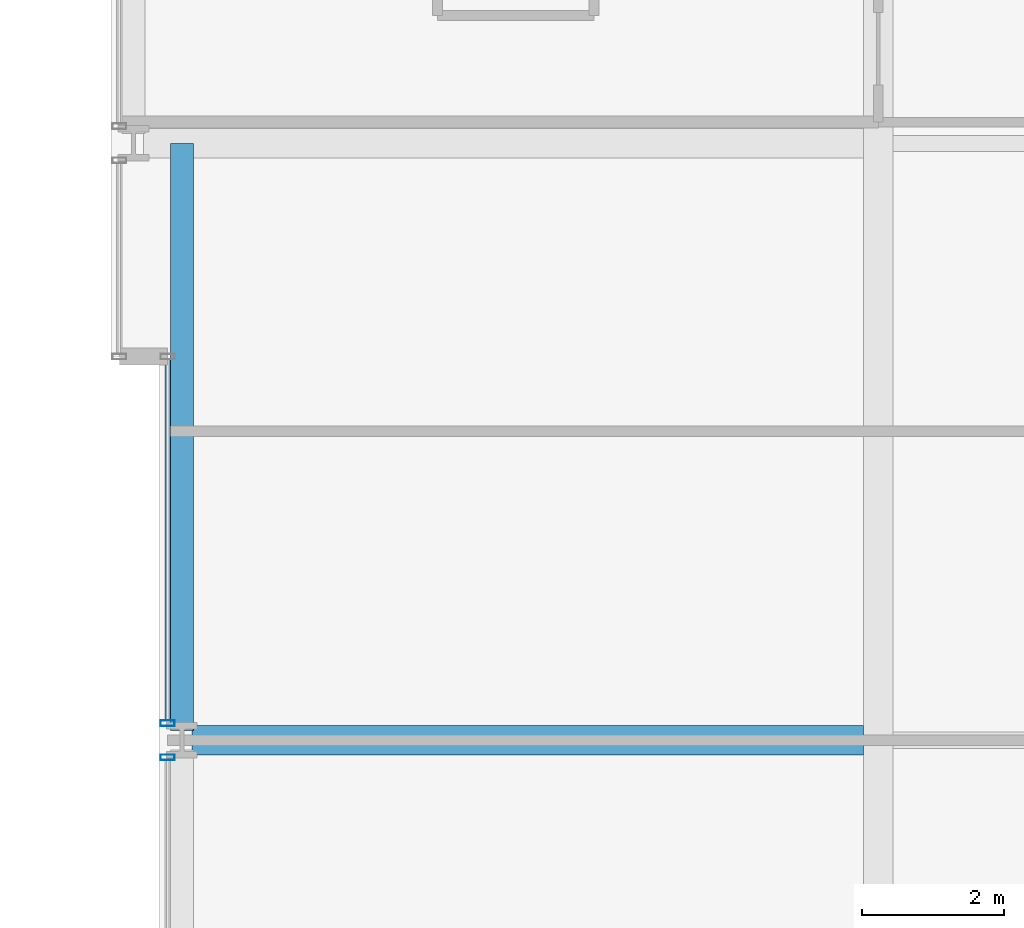
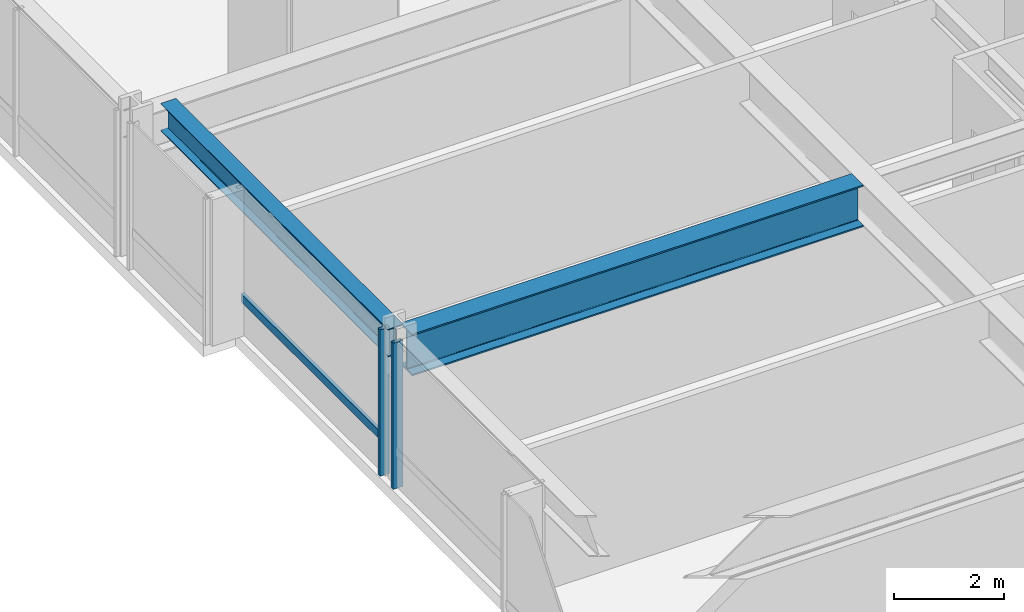
# One storey, part 9 of 42: 3 members, 2 beams, 2 elements without a shape of their own.
"""IFC4 building model written with IfcOpenShell, lengths in metres."""

from ifc_helpers import new_model, si_unit, direction, frame, origin, origin_2d, place, context, subcontext, project, spatial, hollow_rectangle, i_section, extrude, material, layer, layer_set, material_profile, profile_set, type_object, element, aggregate, save


model = new_model("IFC4")

# Units and contexts
model_context = context("Model", 3, precision=1e-05, world=origin(), true_north=direction((0.0, 1.0)))
body_context = subcontext(model_context, "Body", "Model", "MODEL_VIEW")
ifc_project = project(units=[si_unit("LENGTHUNIT", "METRE"), si_unit("AREAUNIT", "SQUARE_METRE"), si_unit("VOLUMEUNIT", "CUBIC_METRE"), si_unit("PLANEANGLEUNIT", "RADIAN"), si_unit("MASSUNIT", "GRAM", prefix="KILO")], contexts=[model_context])

# Site, building, storey
site_placement = place(None, origin())
site = spatial("IfcSite", under=ifc_project, at=site_placement, CompositionType="ELEMENT")
building_placement = place(site_placement, origin())
building = spatial("IfcBuilding", under=site, at=building_placement, Name="Drelvath Grand Hotel", CompositionType="ELEMENT")
storey_placement = place(building_placement, frame((0.0, 0.0, 33.199951171875)))
storey = spatial("IfcBuildingStorey", under=building, at=storey_placement, Name="L06", CompositionType="ELEMENT", Elevation=33.199951171875)

# Curtain wall, member
ifc_material_1 = material(Name="Warm Bronze Anodised Aluminium Frame", Category="aluminium")
ifc_layer = layer(ifc_material_1, 0.199951171875)
ifc_layer_set = layer_set([ifc_layer], Name="Warm Bronze Anodised Aluminium Frame")
curtain_wall_type = type_object("IfcCurtainWallType", Name="Stick Curtain Wall CW-02 Warm Bronze Low-Rise", PredefinedType="NOTDEFINED", material=ifc_layer_set)
curtain_wall_1_placement = place(storey_placement, origin())
curtain_wall_1 = element("IfcCurtainWall", 1, at=curtain_wall_1_placement, inside=storey, type_object=curtain_wall_type, Name="L06 CW-02 Curtain Wall CW02-L06-WM2", PredefinedType="NOTDEFINED")
ifc_material_profile_1 = material_profile(ifc_material_1, hollow_rectangle(XDim=0.074951171875, YDim=0.179931640625, WallThickness=0.0048828125, at=origin_2d()), Name="HSS180X75X5")
ifc_profile_set_1 = profile_set([ifc_material_profile_1], Name="Warm Bronze Anodised Aluminium Frame")
member_type_1 = type_object("IfcMemberType", Name="Curtain Wall Horizontal Transom CW-02 HSS180X75X5", PredefinedType="USERDEFINED", material=ifc_profile_set_1)
member_1_placement = place(storey_placement, frame((-26.199951171875, 27.281005859375, 0.81005859375), z_axis=(0.0, 1.0, 0.0), x_axis=(-1.0, 0.0, 0.0)))
member_1 = element("IfcMember", 2, at=member_1_placement, type_object=member_type_1, Name="CW02-L06-WM2 Sill Transom", ObjectType="TRANSOM", PredefinedType="USERDEFINED", context=body_context, shape_type="SweptSolid", body=[
    extrude(hollow_rectangle(XDim=0.074951171875, YDim=0.179931640625, WallThickness=0.0048828125, at=origin_2d()), origin(), (0.0, 0.0, 1.0), 5.0791015625),
])

curtain_wall_2_placement = place(storey_placement, origin())
curtain_wall_2 = element("IfcCurtainWall", 3, at=curtain_wall_2_placement, inside=storey, type_object=curtain_wall_type, Name="L06 CW-02 Curtain Wall CW02-L06-WM1", PredefinedType="NOTDEFINED")
ifc_material_profile_2 = material_profile(ifc_material_1, hollow_rectangle(XDim=0.080078125, YDim=0.199951171875, WallThickness=0.0048828125, at=origin_2d()), Name="HSS200X80X5")
ifc_profile_set_2 = profile_set([ifc_material_profile_2], Name="Warm Bronze Anodised Aluminium Frame")
member_type_2 = type_object("IfcMemberType", Name="Curtain Wall Vertical Mullion CW-02 HSS200X80X5", PredefinedType="MULLION", material=ifc_profile_set_2)
member_2_placement = place(storey_placement, frame((-26.199951171875, 26.759033203125, 0.0), z_axis=(0.0, 0.0, 1.0), x_axis=(0.0, 1.0, 0.0)))
member_2 = element("IfcMember", 4, at=member_2_placement, type_object=member_type_2, Name="CW02-L06-WM1 Mullion 2", PredefinedType="MULLION", context=body_context, shape_type="SweptSolid", body=[
    extrude(hollow_rectangle(XDim=0.080078125, YDim=0.199951171875, WallThickness=0.0048828125, at=origin_2d()), origin(), (0.0, 0.0, 1.0), 3.239990234375),
])
aggregate(curtain_wall_2, [member_2])

# Member
member_3_placement = place(storey_placement, frame((-26.199951171875, 27.240966796875, 0.0), z_axis=(0.0, 0.0, 1.0), x_axis=(0.0, 1.0, 0.0)))
member_3 = element("IfcMember", 5, at=member_3_placement, type_object=member_type_2, Name="CW02-L06-WM2 Mullion 1", PredefinedType="MULLION", context=body_context, shape_type="SweptSolid", body=[
    extrude(hollow_rectangle(XDim=0.080078125, YDim=0.199951171875, WallThickness=0.0048828125, at=origin_2d()), origin(), (0.0, 0.0, 1.0), 3.239990234375),
])

aggregate(curtain_wall_1, [member_3, member_1])

# Beams
ifc_material_2 = material(Name="Steel ASTM A992 Gr 50", Category="steel")
ifc_material_profile_3 = material_profile(ifc_material_2, i_section(OverallWidth=0.323974609375, OverallDepth=0.611083984375, WebThickness=0.0126953125, FlangeThickness=0.01904296875, FilletRadius=0.02197265625, at=origin_2d()), Name="W24X104")
ifc_profile_set_3 = profile_set([ifc_material_profile_3], Name="Steel ASTM A992 Gr 50")
beam_type_1 = type_object("IfcBeamType", Name="Perimeter Spandrel Beam W24X104", PredefinedType="SPANDREL", material=ifc_profile_set_3)
beam_1_placement = place(storey_placement, frame((-26.0, 27.139892578125, 2.9345703125), z_axis=(0.0, 1.0, 0.0), x_axis=(-1.0, 0.0, 0.0)))
element("IfcBeam", 6, at=beam_1_placement, inside=storey, type_object=beam_type_1, Name="L06 Spandrel West Mid N", PredefinedType="SPANDREL", context=body_context, shape_type="SweptSolid", body=[
    extrude(i_section(OverallWidth=0.323974609375, OverallDepth=0.611083984375, WebThickness=0.0126953125, FlangeThickness=0.01904296875, FilletRadius=0.02197265625, at=origin_2d()), origin(), (0.0, 0.0, 1.0), 8.260009765625),
])
ifc_material_profile_4 = material_profile(ifc_material_2, i_section(OverallWidth=0.418212890625, OverallDepth=0.926513671875, WebThickness=0.019287109375, FlangeThickness=0.031982421875, FilletRadius=0.028076171875, at=origin_2d()), Name="W36X231")
ifc_profile_set_4 = profile_set([ifc_material_profile_4], Name="Steel ASTM A992 Gr 50")
beam_type_2 = type_object("IfcBeamType", Name="Primary Floor Girder W36X231", PredefinedType="BEAM", material=ifc_profile_set_4)
beam_2_placement = place(storey_placement, frame((-25.860107421875, 27.0, 2.77685546875), z_axis=(1.0, 0.0, 0.0), x_axis=(0.0, 1.0, 0.0)))
element("IfcBeam", 7, at=beam_2_placement, inside=storey, type_object=beam_type_2, Name="L06 West Wing Girder E", PredefinedType="BEAM", context=body_context, shape_type="SweptSolid", body=[
    extrude(i_section(OverallWidth=0.418212890625, OverallDepth=0.926513671875, WebThickness=0.019287109375, FlangeThickness=0.031982421875, FilletRadius=0.028076171875, at=origin_2d()), origin(), (0.0, 0.0, 1.0), 9.450927734375),
])

save(model, "model.ifc")
